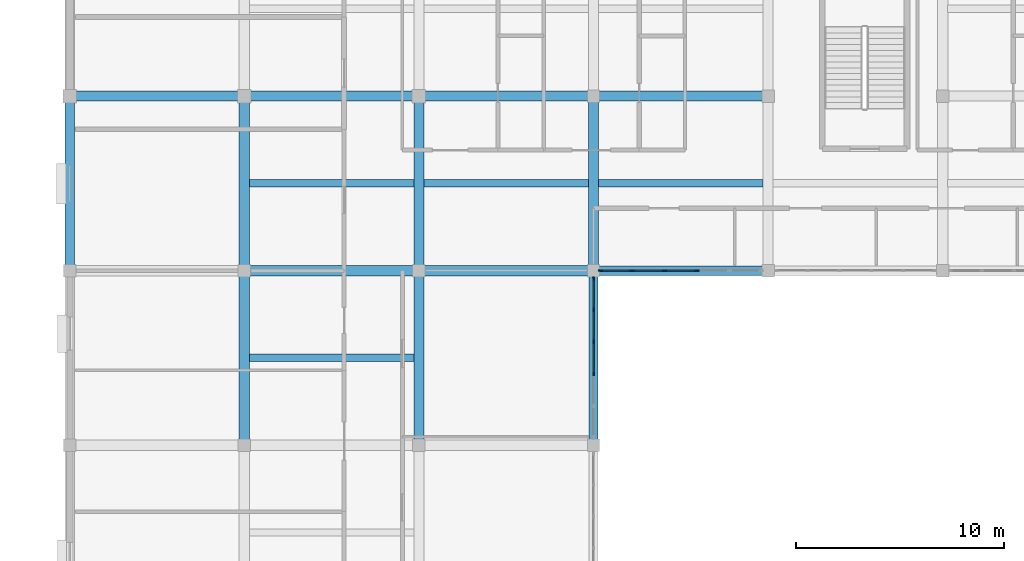
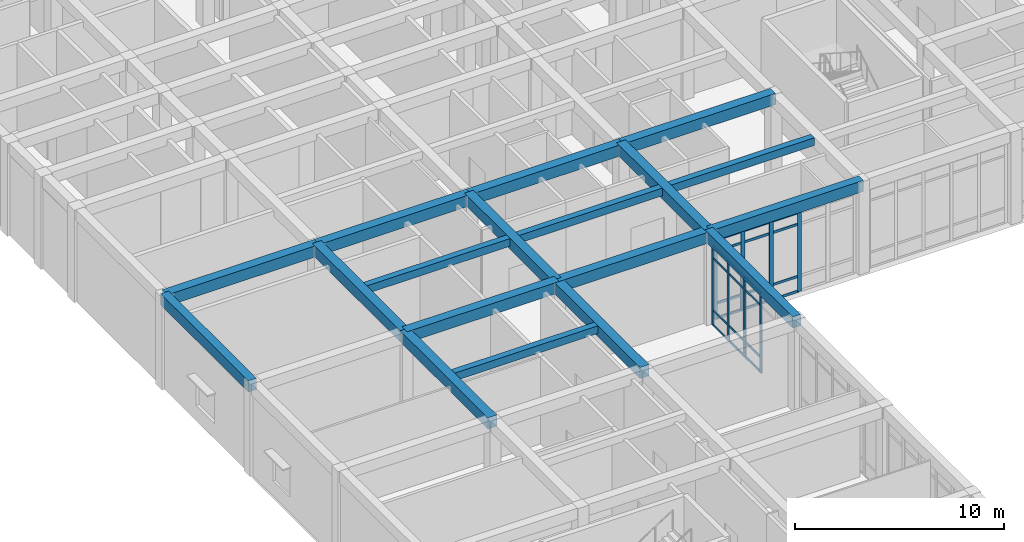
# One storey, part 18 of 89: 32 members, 18 beams, 2 elements without a shape of their own.
"""IFC4 building model written with IfcOpenShell, lengths in metres."""

from ifc_helpers import new_model, si_unit, direction, frame, origin, origin_2d, place, context, subcontext, project, spatial, rectangle, extrude, material, material_profile, profile_set, type_object, element, aggregate, save


model = new_model("IFC4")

# Units and contexts
model_context = context("Model", 3, precision=1e-05, world=origin(), true_north=direction((0.0, 1.0)))
body_context = subcontext(model_context, "Body", "Model", "MODEL_VIEW")
ifc_project = project(units=[si_unit("LENGTHUNIT", "METRE"), si_unit("AREAUNIT", "SQUARE_METRE"), si_unit("VOLUMEUNIT", "CUBIC_METRE"), si_unit("PLANEANGLEUNIT", "RADIAN"), si_unit("MASSUNIT", "GRAM", prefix="KILO")], contexts=[model_context])

# Site, building, storey
site_placement = place(None, origin())
site = spatial("IfcSite", under=ifc_project, at=site_placement, CompositionType="ELEMENT")
building_placement = place(site_placement, origin())
building = spatial("IfcBuilding", under=site, at=building_placement, Name="Varncliffe General Hospital", CompositionType="ELEMENT")
storey_placement = place(building_placement, frame((0.0, 0.0, 10.800048828125)))
storey = spatial("IfcBuildingStorey", under=building, at=storey_placement, Name="L02", CompositionType="ELEMENT", Elevation=10.800048828125)

# Beams
ifc_material_1 = material(Name="Concrete C35/45 (CSA A23.1 35 MPa)", Category="concrete")
ifc_material_profile_1 = material_profile(ifc_material_1, rectangle(XDim=0.5, YDim=0.64990234375, at=origin_2d()), Name="RC 500x650")
ifc_profile_set_1 = profile_set([ifc_material_profile_1], Name="Concrete C35/45 (CSA A23.1 35 MPa)")
beam_type_1 = type_object("IfcBeamType", Name="Beam B29 (Int RC 500x650)", PredefinedType="BEAM", material=ifc_profile_set_1)
beam_1_placement = place(storey_placement, frame((8.39990234375, 82.800048828125, 5.074951171875), z_axis=(1.0, 0.0, 0.0), x_axis=(0.0, 1.0, 0.0)))
element("IfcBeam", 1, at=beam_1_placement, inside=storey, type_object=beam_type_1, Name="L02 Primary Beam B29-94", PredefinedType="BEAM", context=body_context, shape_type="SweptSolid", body=[
    extrude(rectangle(XDim=0.5, YDim=0.64990234375, at=origin_2d()), origin(), (0.0, 0.0, 1.0), 8.400146484375),
])
for number, where, z_axis, x_axis, name in (
    (2, (16.800048828125, 82.800048828125, 5.074951171875), (1.0, 0.0, 0.0), (0.0, 1.0, 0.0), "L02 Primary Beam B29-95"),
    (3, (0.0, 91.199951171875, 5.074951171875), (1.0, 0.0, 0.0), (0.0, 1.0, 0.0), "L02 Primary Beam B29-114"),
):
    element("IfcBeam", number, at=place(storey_placement, frame(where, z_axis=z_axis, x_axis=x_axis)), inside=storey, type_object=beam_type_1, Name=name, PredefinedType="BEAM", context=body_context, shape_type="SweptSolid", body=[
        extrude(rectangle(XDim=0.5, YDim=0.64990234375, at=origin_2d()), origin(), (0.0, 0.0, 1.0), 8.39990234375),
    ])
beam_2_placement = place(storey_placement, frame((8.39990234375, 91.199951171875, 5.074951171875), z_axis=(1.0, 0.0, 0.0), x_axis=(0.0, 1.0, 0.0)))
element("IfcBeam", 4, at=beam_2_placement, inside=storey, type_object=beam_type_1, Name="L02 Primary Beam B29-115", PredefinedType="BEAM", context=body_context, shape_type="SweptSolid", body=[
    extrude(rectangle(XDim=0.5, YDim=0.64990234375, at=origin_2d()), origin(), (0.0, 0.0, 1.0), 8.400146484375),
])
beam_3_placement = place(storey_placement, frame((16.800048828125, 91.199951171875, 5.074951171875), z_axis=(1.0, 0.0, 0.0), x_axis=(0.0, 1.0, 0.0)))
element("IfcBeam", 5, at=beam_3_placement, inside=storey, type_object=beam_type_1, Name="L02 Primary Beam B29-116", PredefinedType="BEAM", context=body_context, shape_type="SweptSolid", body=[
    extrude(rectangle(XDim=0.5, YDim=0.64990234375, at=origin_2d()), origin(), (0.0, 0.0, 1.0), 8.39990234375),
])
for number, where, z_axis, x_axis, name in (
    (6, (25.199951171875, 91.199951171875, 5.074951171875), (1.0, 0.0, 0.0), (0.0, 1.0, 0.0), "L02 Primary Beam B29-117"),
    (7, (8.39990234375, 74.39990234375, 5.074951171875), (0.0, 1.0, 0.0), (-1.0, 0.0, 0.0), "L02 Primary Beam B29-255"),
):
    element("IfcBeam", number, at=place(storey_placement, frame(where, z_axis=z_axis, x_axis=x_axis)), inside=storey, type_object=beam_type_1, Name=name, PredefinedType="BEAM", context=body_context, shape_type="SweptSolid", body=[
        extrude(rectangle(XDim=0.5, YDim=0.64990234375, at=origin_2d()), origin(), (0.0, 0.0, 1.0), 8.400146484375),
    ])
beam_4_placement = place(storey_placement, frame((8.39990234375, 82.800048828125, 5.074951171875), z_axis=(0.0, 1.0, 0.0), x_axis=(-1.0, 0.0, 0.0)))
element("IfcBeam", 8, at=beam_4_placement, inside=storey, type_object=beam_type_1, Name="L02 Primary Beam B29-256", PredefinedType="BEAM", context=body_context, shape_type="SweptSolid", body=[
    extrude(rectangle(XDim=0.5, YDim=0.64990234375, at=origin_2d()), origin(), (0.0, 0.0, 1.0), 8.39990234375),
])
beam_5_placement = place(storey_placement, frame((16.800048828125, 74.39990234375, 5.074951171875), z_axis=(0.0, 1.0, 0.0), x_axis=(-1.0, 0.0, 0.0)))
element("IfcBeam", 9, at=beam_5_placement, inside=storey, type_object=beam_type_1, Name="L02 Primary Beam B29-267", PredefinedType="BEAM", context=body_context, shape_type="SweptSolid", body=[
    extrude(rectangle(XDim=0.5, YDim=0.64990234375, at=origin_2d()), origin(), (0.0, 0.0, 1.0), 8.400146484375),
])
for number, where, z_axis, x_axis, name in (
    (10, (16.800048828125, 82.800048828125, 5.074951171875), (0.0, 1.0, 0.0), (-1.0, 0.0, 0.0), "L02 Primary Beam B29-268"),
    (11, (25.199951171875, 82.800048828125, 5.074951171875), (0.0, 1.0, 0.0), (-1.0, 0.0, 0.0), "L02 Primary Beam B29-280"),
):
    element("IfcBeam", number, at=place(storey_placement, frame(where, z_axis=z_axis, x_axis=x_axis)), inside=storey, type_object=beam_type_1, Name=name, PredefinedType="BEAM", context=body_context, shape_type="SweptSolid", body=[
        extrude(rectangle(XDim=0.5, YDim=0.64990234375, at=origin_2d()), origin(), (0.0, 0.0, 1.0), 8.39990234375),
    ])

# Curtain wall, members
ifc_material_2 = material(Name="Triple low-E argon insulated vision glazing", Category="glass")
curtain_wall_type_1 = type_object("IfcCurtainWallType", Name="Unitised Glazed Curtain Wall CW70 (7724x4640)", PredefinedType="USERDEFINED", material=ifc_material_2)
curtain_wall_1_placement = place(storey_placement, origin())
curtain_wall_1 = element("IfcCurtainWall", 12, at=curtain_wall_1_placement, inside=storey, type_object=curtain_wall_type_1, Name="L02 Glazed Curtain Wall CW70-148", ObjectType="GLAZED CURTAIN WALL", PredefinedType="USERDEFINED")
ifc_material_3 = material(Name="Dark bronze thermally broken aluminium framing", Category="aluminium")
ifc_material_profile_2 = material_profile(ifc_material_3, rectangle(XDim=0.074951171875, YDim=0.179931640625, at=origin_2d()), Name="ALU 75x180")
ifc_profile_set_2 = profile_set([ifc_material_profile_2], Name="Dark bronze thermally broken aluminium framing")
member_type_1 = type_object("IfcMemberType", Name="Curtain Wall Mullion CM44 (ALU 75x180)", PredefinedType="MULLION", material=ifc_profile_set_2)
member_1_placement = place(storey_placement, frame((25.199951171875, 82.424560546875, 0.0), z_axis=(0.0, 0.0, 1.0), x_axis=(1.0, 0.0, 0.0)))
member_1 = element("IfcMember", 13, at=member_1_placement, type_object=member_type_1, Name="CW70 mullion 1", PredefinedType="MULLION", context=body_context, shape_type="SweptSolid", body=[
    extrude(rectangle(XDim=0.074951171875, YDim=0.179931640625, at=origin_2d()), origin(), (0.0, 0.0, 1.0), 4.639892578125),
])
member_2_placement = place(storey_placement, frame((25.199951171875, 80.917236328125, 0.0), z_axis=(0.0, 0.0, 1.0), x_axis=(1.0, 0.0, 0.0)))
member_2 = element("IfcMember", 14, at=member_2_placement, type_object=member_type_1, Name="CW70 mullion 2", PredefinedType="MULLION", context=body_context, shape_type="SweptSolid", body=[
    extrude(rectangle(XDim=0.074951171875, YDim=0.179931640625, at=origin_2d()), origin(), (0.0, 0.0, 1.0), 4.639892578125),
])
member_3_placement = place(storey_placement, frame((25.199951171875, 79.372314453125, 0.0), z_axis=(0.0, 0.0, 1.0), x_axis=(1.0, 0.0, 0.0)))
member_3 = element("IfcMember", 15, at=member_3_placement, type_object=member_type_1, Name="CW70 mullion 3", PredefinedType="MULLION", context=body_context, shape_type="SweptSolid", body=[
    extrude(rectangle(XDim=0.074951171875, YDim=0.179931640625, at=origin_2d()), origin(), (0.0, 0.0, 1.0), 4.639892578125),
])
member_4_placement = place(storey_placement, frame((25.199951171875, 77.82763671875, 0.0), z_axis=(0.0, 0.0, 1.0), x_axis=(1.0, 0.0, 0.0)))
member_4 = element("IfcMember", 16, at=member_4_placement, type_object=member_type_1, Name="CW70 mullion 4", PredefinedType="MULLION", context=body_context, shape_type="SweptSolid", body=[
    extrude(rectangle(XDim=0.074951171875, YDim=0.179931640625, at=origin_2d()), origin(), (0.0, 0.0, 1.0), 4.639892578125),
])

curtain_wall_type_2 = type_object("IfcCurtainWallType", Name="Unitised Glazed Curtain Wall CW85 (7804x4640)", PredefinedType="USERDEFINED", material=ifc_material_2)
curtain_wall_2_placement = place(storey_placement, origin())
curtain_wall_2 = element("IfcCurtainWall", 17, at=curtain_wall_2_placement, inside=storey, type_object=curtain_wall_type_2, Name="L02 Glazed Curtain Wall CW85-147", ObjectType="GLAZED CURTAIN WALL", PredefinedType="USERDEFINED")
ifc_material_profile_3 = material_profile(ifc_material_3, rectangle(XDim=0.074951171875, YDim=0.219970703125, at=origin_2d()), Name="ALU 75x220")
ifc_profile_set_3 = profile_set([ifc_material_profile_3], Name="Dark bronze thermally broken aluminium framing")
member_type_2 = type_object("IfcMemberType", Name="Curtain Wall Mullion CM74 (ALU 75x220)", PredefinedType="MULLION", material=ifc_profile_set_3)
member_5_placement = place(storey_placement, frame((30.180419921875, 82.800048828125, 0.0), z_axis=(0.0, 0.0, 1.0), x_axis=(0.0, -1.0, 0.0)))
member_5 = element("IfcMember", 18, at=member_5_placement, type_object=member_type_2, Name="CW85 mullion 3", PredefinedType="MULLION", context=body_context, shape_type="SweptSolid", body=[
    extrude(rectangle(XDim=0.074951171875, YDim=0.219970703125, at=origin_2d()), origin(), (0.0, 0.0, 1.0), 4.639892578125),
])
member_6_placement = place(storey_placement, frame((28.61962890625, 82.800048828125, 0.0), z_axis=(0.0, 0.0, 1.0), x_axis=(0.0, -1.0, 0.0)))
member_6 = element("IfcMember", 19, at=member_6_placement, type_object=member_type_2, Name="CW85 mullion 4", PredefinedType="MULLION", context=body_context, shape_type="SweptSolid", body=[
    extrude(rectangle(XDim=0.074951171875, YDim=0.219970703125, at=origin_2d()), origin(), (0.0, 0.0, 1.0), 4.639892578125),
])
member_7_placement = place(storey_placement, frame((27.058837890625, 82.800048828125, 0.0), z_axis=(0.0, 0.0, 1.0), x_axis=(0.0, -1.0, 0.0)))
member_7 = element("IfcMember", 20, at=member_7_placement, type_object=member_type_2, Name="CW85 mullion 5", PredefinedType="MULLION", context=body_context, shape_type="SweptSolid", body=[
    extrude(rectangle(XDim=0.074951171875, YDim=0.219970703125, at=origin_2d()), origin(), (0.0, 0.0, 1.0), 4.639892578125),
])
member_8_placement = place(storey_placement, frame((25.535400390625, 82.800048828125, 0.0), z_axis=(0.0, 0.0, 1.0), x_axis=(0.0, -1.0, 0.0)))
member_8 = element("IfcMember", 21, at=member_8_placement, type_object=member_type_2, Name="CW85 mullion 6", PredefinedType="MULLION", context=body_context, shape_type="SweptSolid", body=[
    extrude(rectangle(XDim=0.074951171875, YDim=0.219970703125, at=origin_2d()), origin(), (0.0, 0.0, 1.0), 4.639892578125),
])

# Member
ifc_material_profile_4 = material_profile(ifc_material_3, rectangle(XDim=0.06005859375, YDim=0.1201171875, at=origin_2d()), Name="ALU 60x120")
ifc_profile_set_4 = profile_set([ifc_material_profile_4], Name="Dark bronze thermally broken aluminium framing")
member_type_3 = type_object("IfcMemberType", Name="Curtain Wall Transom CT14 (ALU 60x120)", PredefinedType="USERDEFINED", material=ifc_profile_set_4)
member_9_placement = place(storey_placement, frame((25.199951171875, 82.386962890625, 0.030029296875), z_axis=(0.0, -1.0, 0.0), x_axis=(1.0, 0.0, 0.0)))
member_9 = element("IfcMember", 22, at=member_9_placement, type_object=member_type_3, Name="CW70 transom 1.1", ObjectType="TRANSOM", PredefinedType="USERDEFINED", context=body_context, shape_type="SweptSolid", body=[
    extrude(rectangle(XDim=0.06005859375, YDim=0.1201171875, at=origin_2d()), origin(), (0.0, 0.0, 1.0), 1.432373046875),
])

member_10_placement = place(storey_placement, frame((25.199951171875, 82.386962890625, 0.89990234375), z_axis=(0.0, -1.0, 0.0), x_axis=(1.0, 0.0, 0.0)))
member_10 = element("IfcMember", 23, at=member_10_placement, type_object=member_type_3, Name="CW70 transom 1.2", ObjectType="TRANSOM", PredefinedType="USERDEFINED", context=body_context, shape_type="SweptSolid", body=[
    extrude(rectangle(XDim=0.06005859375, YDim=0.1201171875, at=origin_2d()), origin(), (0.0, 0.0, 1.0), 1.432373046875),
])

member_11_placement = place(storey_placement, frame((25.199951171875, 82.386962890625, 3.93994140625), z_axis=(0.0, -1.0, 0.0), x_axis=(1.0, 0.0, 0.0)))
member_11 = element("IfcMember", 24, at=member_11_placement, type_object=member_type_3, Name="CW70 transom 1.3", ObjectType="TRANSOM", PredefinedType="USERDEFINED", context=body_context, shape_type="SweptSolid", body=[
    extrude(rectangle(XDim=0.06005859375, YDim=0.1201171875, at=origin_2d()), origin(), (0.0, 0.0, 1.0), 1.432373046875),
])

member_12_placement = place(storey_placement, frame((25.199951171875, 82.386962890625, 4.60986328125), z_axis=(0.0, -1.0, 0.0), x_axis=(1.0, 0.0, 0.0)))
member_12 = element("IfcMember", 25, at=member_12_placement, type_object=member_type_3, Name="CW70 transom 1.4", ObjectType="TRANSOM", PredefinedType="USERDEFINED", context=body_context, shape_type="SweptSolid", body=[
    extrude(rectangle(XDim=0.06005859375, YDim=0.1201171875, at=origin_2d()), origin(), (0.0, 0.0, 1.0), 1.432373046875),
])

member_13_placement = place(storey_placement, frame((25.199951171875, 80.879638671875, 0.030029296875), z_axis=(0.0, -1.0, 0.0), x_axis=(1.0, 0.0, 0.0)))
member_13 = element("IfcMember", 26, at=member_13_placement, type_object=member_type_3, Name="CW70 transom 2.1", ObjectType="TRANSOM", PredefinedType="USERDEFINED", context=body_context, shape_type="SweptSolid", body=[
    extrude(rectangle(XDim=0.06005859375, YDim=0.1201171875, at=origin_2d()), origin(), (0.0, 0.0, 1.0), 1.4697265625),
])

member_14_placement = place(storey_placement, frame((25.199951171875, 80.879638671875, 0.89990234375), z_axis=(0.0, -1.0, 0.0), x_axis=(1.0, 0.0, 0.0)))
member_14 = element("IfcMember", 27, at=member_14_placement, type_object=member_type_3, Name="CW70 transom 2.2", ObjectType="TRANSOM", PredefinedType="USERDEFINED", context=body_context, shape_type="SweptSolid", body=[
    extrude(rectangle(XDim=0.06005859375, YDim=0.1201171875, at=origin_2d()), origin(), (0.0, 0.0, 1.0), 1.4697265625),
])

member_15_placement = place(storey_placement, frame((25.199951171875, 80.879638671875, 3.93994140625), z_axis=(0.0, -1.0, 0.0), x_axis=(1.0, 0.0, 0.0)))
member_15 = element("IfcMember", 28, at=member_15_placement, type_object=member_type_3, Name="CW70 transom 2.3", ObjectType="TRANSOM", PredefinedType="USERDEFINED", context=body_context, shape_type="SweptSolid", body=[
    extrude(rectangle(XDim=0.06005859375, YDim=0.1201171875, at=origin_2d()), origin(), (0.0, 0.0, 1.0), 1.4697265625),
])

member_16_placement = place(storey_placement, frame((25.199951171875, 80.879638671875, 4.60986328125), z_axis=(0.0, -1.0, 0.0), x_axis=(1.0, 0.0, 0.0)))
member_16 = element("IfcMember", 29, at=member_16_placement, type_object=member_type_3, Name="CW70 transom 2.4", ObjectType="TRANSOM", PredefinedType="USERDEFINED", context=body_context, shape_type="SweptSolid", body=[
    extrude(rectangle(XDim=0.06005859375, YDim=0.1201171875, at=origin_2d()), origin(), (0.0, 0.0, 1.0), 1.4697265625),
])

member_17_placement = place(storey_placement, frame((25.199951171875, 79.3349609375, 0.030029296875), z_axis=(0.0, -1.0, 0.0), x_axis=(1.0, 0.0, 0.0)))
member_17 = element("IfcMember", 30, at=member_17_placement, type_object=member_type_3, Name="CW70 transom 3.1", ObjectType="TRANSOM", PredefinedType="USERDEFINED", context=body_context, shape_type="SweptSolid", body=[
    extrude(rectangle(XDim=0.06005859375, YDim=0.1201171875, at=origin_2d()), origin(), (0.0, 0.0, 1.0), 1.469970703125),
])

member_18_placement = place(storey_placement, frame((25.199951171875, 79.3349609375, 0.89990234375), z_axis=(0.0, -1.0, 0.0), x_axis=(1.0, 0.0, 0.0)))
member_18 = element("IfcMember", 31, at=member_18_placement, type_object=member_type_3, Name="CW70 transom 3.2", ObjectType="TRANSOM", PredefinedType="USERDEFINED", context=body_context, shape_type="SweptSolid", body=[
    extrude(rectangle(XDim=0.06005859375, YDim=0.1201171875, at=origin_2d()), origin(), (0.0, 0.0, 1.0), 1.469970703125),
])

member_19_placement = place(storey_placement, frame((25.199951171875, 79.3349609375, 3.93994140625), z_axis=(0.0, -1.0, 0.0), x_axis=(1.0, 0.0, 0.0)))
member_19 = element("IfcMember", 32, at=member_19_placement, type_object=member_type_3, Name="CW70 transom 3.3", ObjectType="TRANSOM", PredefinedType="USERDEFINED", context=body_context, shape_type="SweptSolid", body=[
    extrude(rectangle(XDim=0.06005859375, YDim=0.1201171875, at=origin_2d()), origin(), (0.0, 0.0, 1.0), 1.469970703125),
])

member_20_placement = place(storey_placement, frame((25.199951171875, 79.3349609375, 4.60986328125), z_axis=(0.0, -1.0, 0.0), x_axis=(1.0, 0.0, 0.0)))
member_20 = element("IfcMember", 33, at=member_20_placement, type_object=member_type_3, Name="CW70 transom 3.4", ObjectType="TRANSOM", PredefinedType="USERDEFINED", context=body_context, shape_type="SweptSolid", body=[
    extrude(rectangle(XDim=0.06005859375, YDim=0.1201171875, at=origin_2d()), origin(), (0.0, 0.0, 1.0), 1.469970703125),
])

aggregate(curtain_wall_1, [member_1, member_2, member_3, member_4, member_9, member_10, member_11, member_12, member_13, member_14, member_15, member_16, member_17, member_18, member_19, member_20])

ifc_material_profile_5 = material_profile(ifc_material_3, rectangle(XDim=0.06494140625, YDim=0.139892578125, at=origin_2d()), Name="ALU 65x140")
ifc_profile_set_5 = profile_set([ifc_material_profile_5], Name="Dark bronze thermally broken aluminium framing")
member_type_4 = type_object("IfcMemberType", Name="Curtain Wall Transom CT69 (ALU 65x140)", PredefinedType="USERDEFINED", material=ifc_profile_set_5)
member_21_placement = place(storey_placement, frame((30.142822265625, 82.800048828125, 0.032470703125), z_axis=(-1.0, 0.0, 0.0), x_axis=(0.0, -1.0, 0.0)))
member_21 = element("IfcMember", 34, at=member_21_placement, type_object=member_type_4, Name="CW85 transom 3.1", ObjectType="TRANSOM", PredefinedType="USERDEFINED", context=body_context, shape_type="SweptSolid", body=[
    extrude(rectangle(XDim=0.06494140625, YDim=0.139892578125, at=origin_2d()), origin(), (0.0, 0.0, 1.0), 1.48583984375),
])

member_22_placement = place(storey_placement, frame((30.142822265625, 82.800048828125, 0.89990234375), z_axis=(-1.0, 0.0, 0.0), x_axis=(0.0, -1.0, 0.0)))
member_22 = element("IfcMember", 35, at=member_22_placement, type_object=member_type_4, Name="CW85 transom 3.2", ObjectType="TRANSOM", PredefinedType="USERDEFINED", context=body_context, shape_type="SweptSolid", body=[
    extrude(rectangle(XDim=0.06494140625, YDim=0.139892578125, at=origin_2d()), origin(), (0.0, 0.0, 1.0), 1.48583984375),
])

member_23_placement = place(storey_placement, frame((30.142822265625, 82.800048828125, 3.93994140625), z_axis=(-1.0, 0.0, 0.0), x_axis=(0.0, -1.0, 0.0)))
member_23 = element("IfcMember", 36, at=member_23_placement, type_object=member_type_4, Name="CW85 transom 3.3", ObjectType="TRANSOM", PredefinedType="USERDEFINED", context=body_context, shape_type="SweptSolid", body=[
    extrude(rectangle(XDim=0.06494140625, YDim=0.139892578125, at=origin_2d()), origin(), (0.0, 0.0, 1.0), 1.48583984375),
])

member_24_placement = place(storey_placement, frame((30.142822265625, 82.800048828125, 4.607421875), z_axis=(-1.0, 0.0, 0.0), x_axis=(0.0, -1.0, 0.0)))
member_24 = element("IfcMember", 37, at=member_24_placement, type_object=member_type_4, Name="CW85 transom 3.4", ObjectType="TRANSOM", PredefinedType="USERDEFINED", context=body_context, shape_type="SweptSolid", body=[
    extrude(rectangle(XDim=0.06494140625, YDim=0.139892578125, at=origin_2d()), origin(), (0.0, 0.0, 1.0), 1.48583984375),
])

member_25_placement = place(storey_placement, frame((28.58203125, 82.800048828125, 0.032470703125), z_axis=(-1.0, 0.0, 0.0), x_axis=(0.0, -1.0, 0.0)))
member_25 = element("IfcMember", 38, at=member_25_placement, type_object=member_type_4, Name="CW85 transom 4.1", ObjectType="TRANSOM", PredefinedType="USERDEFINED", context=body_context, shape_type="SweptSolid", body=[
    extrude(rectangle(XDim=0.06494140625, YDim=0.139892578125, at=origin_2d()), origin(), (0.0, 0.0, 1.0), 1.48583984375),
])

member_26_placement = place(storey_placement, frame((28.58203125, 82.800048828125, 0.89990234375), z_axis=(-1.0, 0.0, 0.0), x_axis=(0.0, -1.0, 0.0)))
member_26 = element("IfcMember", 39, at=member_26_placement, type_object=member_type_4, Name="CW85 transom 4.2", ObjectType="TRANSOM", PredefinedType="USERDEFINED", context=body_context, shape_type="SweptSolid", body=[
    extrude(rectangle(XDim=0.06494140625, YDim=0.139892578125, at=origin_2d()), origin(), (0.0, 0.0, 1.0), 1.48583984375),
])

member_27_placement = place(storey_placement, frame((28.58203125, 82.800048828125, 3.93994140625), z_axis=(-1.0, 0.0, 0.0), x_axis=(0.0, -1.0, 0.0)))
member_27 = element("IfcMember", 40, at=member_27_placement, type_object=member_type_4, Name="CW85 transom 4.3", ObjectType="TRANSOM", PredefinedType="USERDEFINED", context=body_context, shape_type="SweptSolid", body=[
    extrude(rectangle(XDim=0.06494140625, YDim=0.139892578125, at=origin_2d()), origin(), (0.0, 0.0, 1.0), 1.48583984375),
])

member_28_placement = place(storey_placement, frame((28.58203125, 82.800048828125, 4.607421875), z_axis=(-1.0, 0.0, 0.0), x_axis=(0.0, -1.0, 0.0)))
member_28 = element("IfcMember", 41, at=member_28_placement, type_object=member_type_4, Name="CW85 transom 4.4", ObjectType="TRANSOM", PredefinedType="USERDEFINED", context=body_context, shape_type="SweptSolid", body=[
    extrude(rectangle(XDim=0.06494140625, YDim=0.139892578125, at=origin_2d()), origin(), (0.0, 0.0, 1.0), 1.48583984375),
])

member_29_placement = place(storey_placement, frame((27.021240234375, 82.800048828125, 0.032470703125), z_axis=(-1.0, 0.0, 0.0), x_axis=(0.0, -1.0, 0.0)))
member_29 = element("IfcMember", 42, at=member_29_placement, type_object=member_type_4, Name="CW85 transom 5.1", ObjectType="TRANSOM", PredefinedType="USERDEFINED", context=body_context, shape_type="SweptSolid", body=[
    extrude(rectangle(XDim=0.06494140625, YDim=0.139892578125, at=origin_2d()), origin(), (0.0, 0.0, 1.0), 1.4482421875),
])

member_30_placement = place(storey_placement, frame((27.021240234375, 82.800048828125, 0.89990234375), z_axis=(-1.0, 0.0, 0.0), x_axis=(0.0, -1.0, 0.0)))
member_30 = element("IfcMember", 43, at=member_30_placement, type_object=member_type_4, Name="CW85 transom 5.2", ObjectType="TRANSOM", PredefinedType="USERDEFINED", context=body_context, shape_type="SweptSolid", body=[
    extrude(rectangle(XDim=0.06494140625, YDim=0.139892578125, at=origin_2d()), origin(), (0.0, 0.0, 1.0), 1.4482421875),
])

member_31_placement = place(storey_placement, frame((27.021240234375, 82.800048828125, 3.93994140625), z_axis=(-1.0, 0.0, 0.0), x_axis=(0.0, -1.0, 0.0)))
member_31 = element("IfcMember", 44, at=member_31_placement, type_object=member_type_4, Name="CW85 transom 5.3", ObjectType="TRANSOM", PredefinedType="USERDEFINED", context=body_context, shape_type="SweptSolid", body=[
    extrude(rectangle(XDim=0.06494140625, YDim=0.139892578125, at=origin_2d()), origin(), (0.0, 0.0, 1.0), 1.4482421875),
])

member_32_placement = place(storey_placement, frame((27.021240234375, 82.800048828125, 4.607421875), z_axis=(-1.0, 0.0, 0.0), x_axis=(0.0, -1.0, 0.0)))
member_32 = element("IfcMember", 45, at=member_32_placement, type_object=member_type_4, Name="CW85 transom 5.4", ObjectType="TRANSOM", PredefinedType="USERDEFINED", context=body_context, shape_type="SweptSolid", body=[
    extrude(rectangle(XDim=0.06494140625, YDim=0.139892578125, at=origin_2d()), origin(), (0.0, 0.0, 1.0), 1.4482421875),
])

aggregate(curtain_wall_2, [member_5, member_6, member_7, member_8, member_21, member_22, member_23, member_24, member_25, member_26, member_27, member_28, member_29, member_30, member_31, member_32])

# Beams
ifc_material_profile_6 = material_profile(ifc_material_1, rectangle(XDim=0.35009765625, YDim=0.449951171875, at=origin_2d()), Name="RC 350x450")
ifc_profile_set_6 = profile_set([ifc_material_profile_6], Name="Concrete C35/45 (CSA A23.1 35 MPa)")
beam_type_2 = type_object("IfcBeamType", Name="Joist J55 (Int RC 350x450)", PredefinedType="JOIST", material=ifc_profile_set_6)
for number, where, z_axis, x_axis, name in (
    (46, (8.64794921875, 78.60009765625, 5.175048828125), (1.0, 0.0, 0.0), (0.0, 1.0, 0.0), "L02 Secondary Floor Rib J55-4"),
    (47, (8.64794921875, 87.0, 5.175048828125), (1.0, 0.0, 0.0), (0.0, 1.0, 0.0), "L02 Secondary Floor Rib J55-5"),
):
    element("IfcBeam", number, at=place(storey_placement, frame(where, z_axis=z_axis, x_axis=x_axis)), inside=storey, type_object=beam_type_2, Name=name, PredefinedType="JOIST", context=body_context, shape_type="SweptSolid", body=[
        extrude(rectangle(XDim=0.35009765625, YDim=0.449951171875, at=origin_2d()), origin(), (0.0, 0.0, 1.0), 7.904052734375),
    ])
beam_6_placement = place(storey_placement, frame((17.048095703125, 87.0, 5.175048828125), z_axis=(1.0, 0.0, 0.0), x_axis=(0.0, 1.0, 0.0)))
element("IfcBeam", 48, at=beam_6_placement, inside=storey, type_object=beam_type_2, Name="L02 Secondary Floor Rib J55-7", PredefinedType="JOIST", context=body_context, shape_type="SweptSolid", body=[
    extrude(rectangle(XDim=0.35009765625, YDim=0.449951171875, at=origin_2d()), origin(), (0.0, 0.0, 1.0), 7.90380859375),
])
beam_7_placement = place(storey_placement, frame((25.447998046875, 87.0, 5.175048828125), z_axis=(1.0, 0.0, 0.0), x_axis=(0.0, 1.0, 0.0)))
element("IfcBeam", 49, at=beam_7_placement, inside=storey, type_object=beam_type_2, Name="L02 Secondary Floor Rib J55-9", PredefinedType="JOIST", context=body_context, shape_type="SweptSolid", body=[
    extrude(rectangle(XDim=0.35009765625, YDim=0.449951171875, at=origin_2d()), origin(), (0.0, 0.0, 1.0), 7.904052734375),
])
ifc_material_profile_7 = material_profile(ifc_material_1, rectangle(XDim=0.449951171875, YDim=0.64990234375, at=origin_2d()), Name="RC 450x650")
ifc_profile_set_7 = profile_set([ifc_material_profile_7], Name="Concrete C35/45 (CSA A23.1 35 MPa)")
beam_type_3 = type_object("IfcBeamType", Name="Spandrel SP38 (Ext RC 450x650B)", PredefinedType="SPANDREL", material=ifc_profile_set_7)
beam_8_placement = place(storey_placement, frame((25.199951171875, 82.800048828125, 5.074951171875), z_axis=(1.0, 0.0, 0.0), x_axis=(0.0, 1.0, 0.0)))
element("IfcBeam", 50, at=beam_8_placement, inside=storey, type_object=beam_type_3, Name="L02 Spandrel Beam SP38-96", PredefinedType="SPANDREL", context=body_context, shape_type="SweptSolid", body=[
    extrude(rectangle(XDim=0.449951171875, YDim=0.64990234375, at=origin_2d()), origin(), (0.0, 0.0, 1.0), 8.400146484375),
])
beam_9_placement = place(storey_placement, frame((0.0, 82.800048828125, 5.074951171875), z_axis=(0.0, 1.0, 0.0), x_axis=(-1.0, 0.0, 0.0)))
element("IfcBeam", 51, at=beam_9_placement, inside=storey, type_object=beam_type_3, Name="L02 Spandrel Beam SP38-245", PredefinedType="SPANDREL", context=body_context, shape_type="SweptSolid", body=[
    extrude(rectangle(XDim=0.449951171875, YDim=0.64990234375, at=origin_2d()), origin(), (0.0, 0.0, 1.0), 8.39990234375),
])
beam_10_placement = place(storey_placement, frame((25.199951171875, 74.39990234375, 5.074951171875), z_axis=(0.0, 1.0, 0.0), x_axis=(-1.0, 0.0, 0.0)))
element("IfcBeam", 52, at=beam_10_placement, inside=storey, type_object=beam_type_3, Name="L02 Spandrel Beam SP38-279", PredefinedType="SPANDREL", context=body_context, shape_type="SweptSolid", body=[
    extrude(rectangle(XDim=0.449951171875, YDim=0.64990234375, at=origin_2d()), origin(), (0.0, 0.0, 1.0), 8.400146484375),
])

save(model, "model.ifc")
